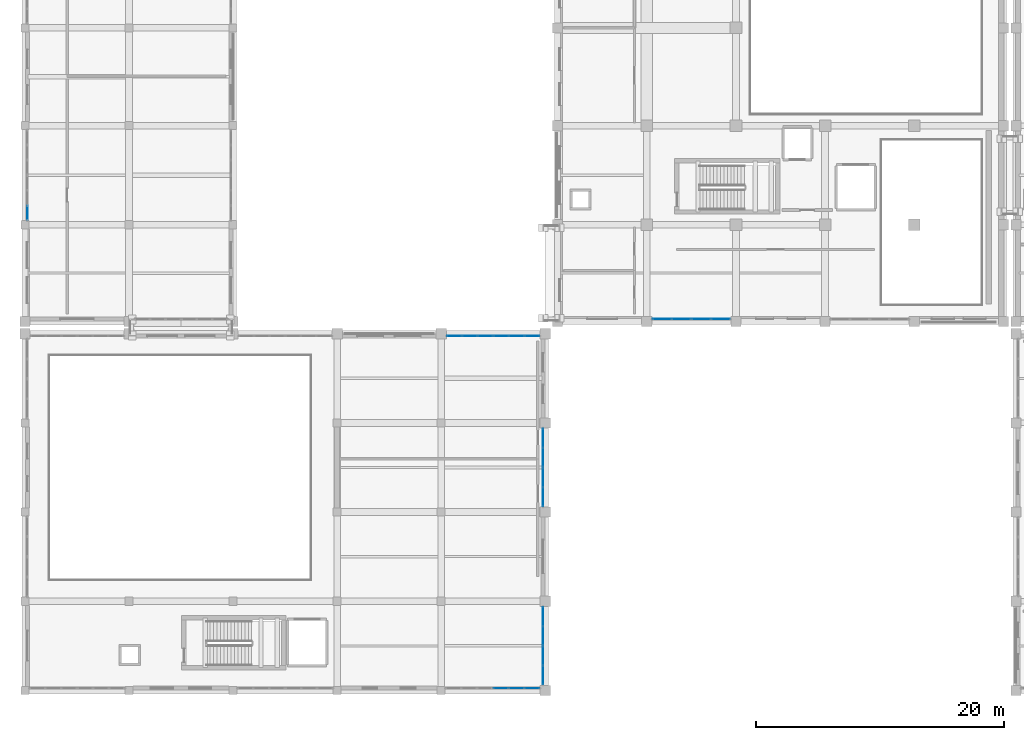
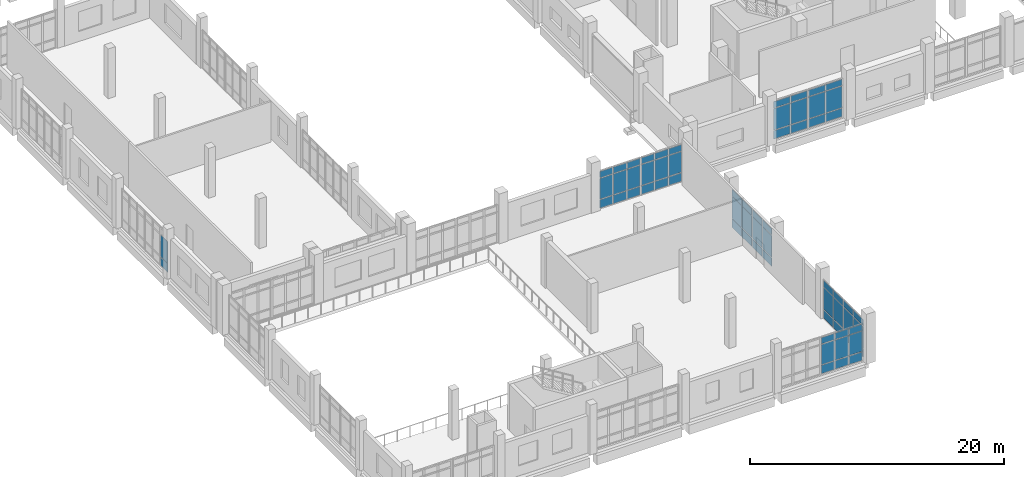
# One storey, part 48 of 90: 65 plates, 10 elements without a shape of their own.
"""IFC4 building model written with IfcOpenShell, lengths in metres."""

import ifcopenshell
import ifcopenshell.guid

model = None  # the IFC model being written
_history = None  # IfcOwnerHistory: only IFC2X3 demands one
_inside = {}  # id of a spatial element -> (the spatial element, [elements in it])
_under = {}  # id of a project, library or spatial element -> (it, [spatial elements below it])
_declared = {}  # id of a project -> (the project, [libraries it declares])
_typed = {}  # id of a type object -> (the type object, [elements of that type])
_made_of = {}  # id of a material, layer set ... -> (it, [elements and type objects made of it])


def new_model(schema):
    """Start an empty IFC model of exactly this schema.

    Asked for "IFC4X3", IfcOpenShell would pick the latest addendum, in which some entities
    have other attributes; the version numbers below select the first issue.
    IFC2X3 requires an IfcOwnerHistory on every rooted entity: one is made here for all.
    """
    global model, _history
    if schema == "IFC4X3":
        model = ifcopenshell.file(schema_version=(4, 3, 0, 0))
    else:
        model = ifcopenshell.file(schema=schema)
    _inside.clear()
    _under.clear()
    _declared.clear()
    _typed.clear()
    _made_of.clear()
    _history = None
    if model.schema == "IFC2X3":
        org = make("IfcOrganization", Name="unknown")
        user = make(
            "IfcPersonAndOrganization",
            ThePerson=make("IfcPerson", FamilyName="unknown"),
            TheOrganization=org,
        )
        app = make(
            "IfcApplication",
            ApplicationDeveloper=org,
            Version="unknown",
            ApplicationFullName="unknown",
            ApplicationIdentifier="unknown",
        )
        _history = make(
            "IfcOwnerHistory",
            OwningUser=user,
            OwningApplication=app,
            ChangeAction="ADDED",
            CreationDate=0,
        )
    return model


def make(cls, **values):
    """One entity of the class cls with the attributes given. An attribute that is None is left unset."""
    return model.create_entity(
        cls, **{name: value for name, value in values.items() if value is not None}
    )


def rooted(cls, **values):
    """An entity with a GlobalId (a new one), such as an element, a storey or a relation."""
    return make(cls, GlobalId=ifcopenshell.guid.new(), OwnerHistory=_history, **values)


def si_unit(unit_type, name, prefix=None):
    """IfcSIUnit, for example si_unit("LENGTHUNIT", "METRE", prefix="MILLI")."""
    return make("IfcSIUnit", UnitType=unit_type, Prefix=prefix, Name=name)


def assignment(units):
    """IfcUnitAssignment: the units of a project."""
    return None if units is None else make("IfcUnitAssignment", Units=units)


def point(xyz):
    """IfcCartesianPoint."""
    return None if xyz is None else make("IfcCartesianPoint", Coordinates=xyz)


def direction(xyz):
    """IfcDirection."""
    return None if xyz is None else make("IfcDirection", DirectionRatios=xyz)


def frame(location, z_axis=None, x_axis=None):
    """IfcAxis2Placement3D, a coordinate frame: its origin and axes. An axis left out is left unset."""
    return make(
        "IfcAxis2Placement3D",
        Location=point(location),
        Axis=direction(z_axis),
        RefDirection=direction(x_axis),
    )


def frame_2d(location, x_axis=None):
    """IfcAxis2Placement2D, a coordinate frame in the plane: its origin and x axis."""
    return make(
        "IfcAxis2Placement2D", Location=point(location), RefDirection=direction(x_axis)
    )


def origin():
    """The frame at (0, 0, 0) with its axes left unset."""
    return frame((0.0, 0.0, 0.0))


def origin_2d():
    """The frame at (0, 0) in the plane with its x axis left unset."""
    return frame_2d((0.0, 0.0))


def place(relative_to, where):
    """IfcLocalPlacement: puts the frame where relative to a parent placement (None: the world)."""
    return make(
        "IfcLocalPlacement", PlacementRelTo=relative_to, RelativePlacement=where
    )


def context(
    kind, dimensions, precision=None, world=None, true_north=None, identifier=None
):
    """IfcGeometricRepresentationContext, for example the 3D "Model" context."""
    return make(
        "IfcGeometricRepresentationContext",
        ContextIdentifier=identifier,
        ContextType=kind,
        CoordinateSpaceDimension=dimensions,
        Precision=precision,
        WorldCoordinateSystem=world,
        TrueNorth=true_north,
    )


def subcontext(parent, identifier, kind, view, scale=None):
    """IfcGeometricRepresentationSubContext, for example "Body" below "Model"."""
    return make(
        "IfcGeometricRepresentationSubContext",
        ContextIdentifier=identifier,
        ContextType=kind,
        ParentContext=parent,
        TargetScale=scale,
        TargetView=view,
    )


def project(units=None, contexts=None):
    """IfcProject with its units and contexts."""
    return rooted(
        "IfcProject",
        Name="project",
        RepresentationContexts=contexts,
        UnitsInContext=assignment(units),
    )


def spatial(cls, under=None, at=None, **own):
    """A site, building, storey or space (cls), placed at a placement, below another one or the project."""
    s = rooted(cls, ObjectPlacement=at, **own)
    if under is not None:
        _under.setdefault(under.id(), (under, []))[1].append(s)
    return s


def profile(cls, at=None, kind="AREA", **sizes):
    """A parametric profile (cls). Its sizes go by their IFC names, for example OverallWidth=200.0."""
    return make(cls, ProfileType=kind, Position=at, **sizes)


def rectangle(**sizes):
    """IfcRectangleProfileDef."""
    return profile("IfcRectangleProfileDef", **sizes)


def extrude(swept, where, along, depth):
    """IfcExtrudedAreaSolid: the profile swept, set in the frame where, extruded along a direction by depth."""
    return make(
        "IfcExtrudedAreaSolid",
        SweptArea=swept,
        Position=where,
        ExtrudedDirection=direction(along),
        Depth=depth,
    )


def shape(context_of_items, identifier, shape_type, items):
    """IfcShapeRepresentation: the items that make up one representation, for example the "Body"."""
    return make(
        "IfcShapeRepresentation",
        ContextOfItems=context_of_items,
        RepresentationIdentifier=identifier,
        RepresentationType=shape_type,
        Items=items,
    )


def material(Name=None, Category=None):
    """IfcMaterial."""
    return make("IfcMaterial", Name=Name, Category=Category)


def layer(
    of_material, thickness, ventilated=None, Name=None, Category=None, Priority=None
):
    """IfcMaterialLayer: one layer of a wall or slab, of a material (None: an air gap)."""
    return make(
        "IfcMaterialLayer",
        Material=of_material,
        LayerThickness=thickness,
        IsVentilated=ventilated,
        Name=Name,
        Category=Category,
        Priority=Priority,
    )


def layer_set(layers, Name=None):
    """IfcMaterialLayerSet."""
    return make("IfcMaterialLayerSet", MaterialLayers=layers, LayerSetName=Name)


def made_of(thing, what):
    """Note that an element or type object is made of a material, layer set ...; save() writes the relation."""
    if what is not None:
        _made_of.setdefault(what.id(), (what, []))[1].append(thing)
    return thing


def type_object(cls, material=None, **own):
    """A type object (cls), such as IfcWallType, which elements share."""
    return made_of(rooted(cls, **own), material)


def element(
    cls,
    number,
    at=None,
    inside=None,
    cuts=None,
    type_object=None,
    material=None,
    context=None,
    identifier="Body",
    shape_type=None,
    held_by="IfcProductDefinitionShape",
    body=None,
    shapes=None,
    **own,
):
    """One element of the class cls, such as IfcWall. Its Tag is "e" and its number.

    at: its placement. inside: the storey or other place that contains it. cuts: it is an
    opening in that element (IfcRelVoidsElement). A single representation is given by context,
    identifier, shape_type and body (its items); several are given by shapes. held_by: the class
    of the entity that holds the representations. save() writes the other relations.
    """
    e = rooted(cls, Tag="e%d" % number, ObjectPlacement=at, **own)
    if body is not None:
        shapes = [shape(context, identifier, shape_type, body)]
    if shapes is not None:
        e.Representation = make(held_by, Representations=shapes)
    if inside is not None:
        _inside.setdefault(inside.id(), (inside, []))[1].append(e)
    if cuts is not None:
        rooted(
            "IfcRelVoidsElement", RelatingBuildingElement=cuts, RelatedOpeningElement=e
        )
    if type_object is not None:
        _typed.setdefault(type_object.id(), (type_object, []))[1].append(e)
    return made_of(e, material)


def aggregate(whole, parts):
    """IfcRelAggregates: a whole, such as a stair, and the parts it consists of."""
    return rooted("IfcRelAggregates", RelatingObject=whole, RelatedObjects=parts)


def save(model, path):
    """Write the relations noted so far, then the file.

    IfcRelAggregates (storeys below a building ...), IfcRelContainedInSpatialStructure (elements
    in a storey), IfcRelDefinesByType, IfcRelAssociatesMaterial and IfcRelDeclares: one each for
    every whole, place, type object, material and project.
    """
    for whole, parts in _under.values():
        aggregate(whole, parts)
    for where, things in _inside.values():
        rooted(
            "IfcRelContainedInSpatialStructure",
            RelatedElements=things,
            RelatingStructure=where,
        )
    for kind, things in _typed.values():
        rooted("IfcRelDefinesByType", RelatedObjects=things, RelatingType=kind)
    for what, things in _made_of.values():
        rooted("IfcRelAssociatesMaterial", RelatedObjects=things, RelatingMaterial=what)
    for by, libraries in _declared.values():
        rooted("IfcRelDeclares", RelatingContext=by, RelatedDefinitions=libraries)
    model.write(path)


model = new_model("IFC4")

# Units and contexts
model_context = context("Model", 3, precision=1e-05, world=origin(), true_north=direction((0.0, 1.0)))
body_context = subcontext(model_context, "Body", "Model", "MODEL_VIEW")
ifc_project = project(units=[si_unit("LENGTHUNIT", "METRE"), si_unit("AREAUNIT", "SQUARE_METRE"), si_unit("VOLUMEUNIT", "CUBIC_METRE"), si_unit("PLANEANGLEUNIT", "RADIAN"), si_unit("MASSUNIT", "GRAM", prefix="KILO")], contexts=[model_context])

# Site, building, storey
site_placement = place(None, origin())
site = spatial("IfcSite", under=ifc_project, at=site_placement, CompositionType="ELEMENT")
building_placement = place(site_placement, origin())
building = spatial("IfcBuilding", under=site, at=building_placement, Name="Kelarvand Opera House", CompositionType="ELEMENT")
storey_placement = place(building_placement, frame((0.0, 0.0, 5.39990234375)))
storey = spatial("IfcBuildingStorey", under=building, at=storey_placement, Name="L01", CompositionType="ELEMENT", Elevation=5.39990234375)

# Curtain wall, plates
ifc_material_1 = material(Name="Thermally broken aluminium and low-E glazing", Category="aluminium")
ifc_layer_1 = layer(ifc_material_1, 0.179931640625, Name="Thermally broken aluminium and low-E glazing", Category="aluminium")
ifc_layer_set_1 = layer_set([ifc_layer_1], Name="Thermally broken aluminium and low-E glazing")
curtain_wall_type_1 = type_object("IfcCurtainWallType", Name="Unitised Low-E Curtain Wall 3176x3730 Mod 1350 CWF-10", PredefinedType="USERDEFINED", material=ifc_layer_set_1)
curtain_wall_1_placement = place(storey_placement, origin())
curtain_wall_1 = element("IfcCurtainWall", 1, at=curtain_wall_1_placement, inside=storey, type_object=curtain_wall_type_1, Name="V2 L01 Curtain Wall CWF-10 (37)", ObjectType="UNITISED CURTAIN WALL", PredefinedType="USERDEFINED")
ifc_material_2 = material(Name="Low-E laminated double glazing", Category="glass")
ifc_layer_2 = layer(ifc_material_2, 0.031982421875, Name="Low-E laminated double glazing", Category="glass")
ifc_layer_set_2 = layer_set([ifc_layer_2], Name="Low-E laminated double glazing")
plate_type = type_object("IfcPlateType", Name="Low-E Argon Double Glazed Curtain Panel 32mm", PredefinedType="CURTAIN_PANEL", material=ifc_layer_set_2)
plate_1_placement = place(storey_placement, frame((65.169677734375, 38.97998046875, 0.06494140625), z_axis=(0.0, 0.0, 1.0), x_axis=(-1.0, 0.0, 0.0)))
plate_1 = element("IfcPlate", 2, at=plate_1_placement, type_object=plate_type, Name="CWF-10 panel 1.1", PredefinedType="CURTAIN_PANEL", context=body_context, shape_type="SweptSolid", body=[
    extrude(rectangle(XDim=1.490478515625, YDim=0.031982421875, at=origin_2d()), origin(), (0.0, 0.0, 1.0), 0.802490234375),
])
plate_2_placement = place(storey_placement, frame((65.169677734375, 38.97998046875, 0.9326171875), z_axis=(0.0, 0.0, 1.0), x_axis=(-1.0, 0.0, 0.0)))
plate_2 = element("IfcPlate", 3, at=plate_2_placement, type_object=plate_type, Name="CWF-10 panel 1.2", PredefinedType="CURTAIN_PANEL", context=body_context, shape_type="SweptSolid", body=[
    extrude(rectangle(XDim=1.490478515625, YDim=0.031982421875, at=origin_2d()), origin(), (0.0, 0.0, 1.0), 2.06494140625),
])
plate_3_placement = place(storey_placement, frame((65.169677734375, 38.97998046875, 3.0625), z_axis=(0.0, 0.0, 1.0), x_axis=(-1.0, 0.0, 0.0)))
plate_3 = element("IfcPlate", 4, at=plate_3_placement, type_object=plate_type, Name="CWF-10 panel 1.3", PredefinedType="CURTAIN_PANEL", context=body_context, shape_type="SweptSolid", body=[
    extrude(rectangle(XDim=1.490478515625, YDim=0.031982421875, at=origin_2d()), origin(), (0.0, 0.0, 1.0), 0.6025390625),
])
plate_4_placement = place(storey_placement, frame((63.6142578125, 38.97998046875, 0.06494140625), z_axis=(0.0, 0.0, 1.0), x_axis=(-1.0, 0.0, 0.0)))
plate_4 = element("IfcPlate", 5, at=plate_4_placement, type_object=plate_type, Name="CWF-10 panel 2.1", PredefinedType="CURTAIN_PANEL", context=body_context, shape_type="SweptSolid", body=[
    extrude(rectangle(XDim=1.490478515625, YDim=0.031982421875, at=origin_2d()), origin(), (0.0, 0.0, 1.0), 0.802490234375),
])
plate_5_placement = place(storey_placement, frame((63.6142578125, 38.97998046875, 0.9326171875), z_axis=(0.0, 0.0, 1.0), x_axis=(-1.0, 0.0, 0.0)))
plate_5 = element("IfcPlate", 6, at=plate_5_placement, type_object=plate_type, Name="CWF-10 panel 2.2", PredefinedType="CURTAIN_PANEL", context=body_context, shape_type="SweptSolid", body=[
    extrude(rectangle(XDim=1.490478515625, YDim=0.031982421875, at=origin_2d()), origin(), (0.0, 0.0, 1.0), 2.06494140625),
])
plate_6_placement = place(storey_placement, frame((63.6142578125, 38.97998046875, 3.0625), z_axis=(0.0, 0.0, 1.0), x_axis=(-1.0, 0.0, 0.0)))
plate_6 = element("IfcPlate", 7, at=plate_6_placement, type_object=plate_type, Name="CWF-10 panel 2.3", PredefinedType="CURTAIN_PANEL", context=body_context, shape_type="SweptSolid", body=[
    extrude(rectangle(XDim=1.490478515625, YDim=0.031982421875, at=origin_2d()), origin(), (0.0, 0.0, 1.0), 0.6025390625),
])
aggregate(curtain_wall_1, [plate_1, plate_2, plate_3, plate_4, plate_5, plate_6])

curtain_wall_2_placement = place(storey_placement, origin())
curtain_wall_2 = element("IfcCurtainWall", 8, at=curtain_wall_2_placement, inside=storey, type_object=curtain_wall_type_1, Name="V2 L01 Curtain Wall CWF-10 (38)", ObjectType="UNITISED CURTAIN WALL", PredefinedType="USERDEFINED")
plate_7_placement = place(storey_placement, frame((61.98876953125, 38.97998046875, 0.06494140625), z_axis=(0.0, 0.0, 1.0), x_axis=(-1.0, 0.0, 0.0)))
plate_7 = element("IfcPlate", 9, at=plate_7_placement, type_object=plate_type, Name="CWF-10 panel 1.1", PredefinedType="CURTAIN_PANEL", context=body_context, shape_type="SweptSolid", body=[
    extrude(rectangle(XDim=1.492431640625, YDim=0.031982421875, at=origin_2d()), origin(), (0.0, 0.0, 1.0), 0.802490234375),
])
plate_8_placement = place(storey_placement, frame((61.98876953125, 38.97998046875, 0.9326171875), z_axis=(0.0, 0.0, 1.0), x_axis=(-1.0, 0.0, 0.0)))
plate_8 = element("IfcPlate", 10, at=plate_8_placement, type_object=plate_type, Name="CWF-10 panel 1.2", PredefinedType="CURTAIN_PANEL", context=body_context, shape_type="SweptSolid", body=[
    extrude(rectangle(XDim=1.492431640625, YDim=0.031982421875, at=origin_2d()), origin(), (0.0, 0.0, 1.0), 2.06494140625),
])
plate_9_placement = place(storey_placement, frame((61.98876953125, 38.97998046875, 3.0625), z_axis=(0.0, 0.0, 1.0), x_axis=(-1.0, 0.0, 0.0)))
plate_9 = element("IfcPlate", 11, at=plate_9_placement, type_object=plate_type, Name="CWF-10 panel 1.3", PredefinedType="CURTAIN_PANEL", context=body_context, shape_type="SweptSolid", body=[
    extrude(rectangle(XDim=1.492431640625, YDim=0.031982421875, at=origin_2d()), origin(), (0.0, 0.0, 1.0), 0.6025390625),
])
plate_10_placement = place(storey_placement, frame((60.43115234375, 38.97998046875, 0.06494140625), z_axis=(0.0, 0.0, 1.0), x_axis=(-1.0, 0.0, 0.0)))
plate_10 = element("IfcPlate", 12, at=plate_10_placement, type_object=plate_type, Name="CWF-10 panel 2.1", PredefinedType="CURTAIN_PANEL", context=body_context, shape_type="SweptSolid", body=[
    extrude(rectangle(XDim=1.492431640625, YDim=0.031982421875, at=origin_2d()), origin(), (0.0, 0.0, 1.0), 0.802490234375),
])
plate_11_placement = place(storey_placement, frame((60.43115234375, 38.97998046875, 0.9326171875), z_axis=(0.0, 0.0, 1.0), x_axis=(-1.0, 0.0, 0.0)))
plate_11 = element("IfcPlate", 13, at=plate_11_placement, type_object=plate_type, Name="CWF-10 panel 2.2", PredefinedType="CURTAIN_PANEL", context=body_context, shape_type="SweptSolid", body=[
    extrude(rectangle(XDim=1.492431640625, YDim=0.031982421875, at=origin_2d()), origin(), (0.0, 0.0, 1.0), 2.06494140625),
])
plate_12_placement = place(storey_placement, frame((60.43115234375, 38.97998046875, 3.0625), z_axis=(0.0, 0.0, 1.0), x_axis=(-1.0, 0.0, 0.0)))
plate_12 = element("IfcPlate", 14, at=plate_12_placement, type_object=plate_type, Name="CWF-10 panel 2.3", PredefinedType="CURTAIN_PANEL", context=body_context, shape_type="SweptSolid", body=[
    extrude(rectangle(XDim=1.492431640625, YDim=0.031982421875, at=origin_2d()), origin(), (0.0, 0.0, 1.0), 0.6025390625),
])
aggregate(curtain_wall_2, [plate_7, plate_8, plate_9, plate_10, plate_11, plate_12])

ifc_layer_3 = layer(ifc_material_1, 0.179931640625, Name="Thermally broken aluminium and low-E glazing", Category="aluminium")
ifc_layer_set_3 = layer_set([ifc_layer_3], Name="Thermally broken aluminium and low-E glazing")
curtain_wall_type_2 = type_object("IfcCurtainWallType", Name="Unitised Low-E Curtain Wall 3776x3650 Mod 1350 CWF-27", PredefinedType="USERDEFINED", material=ifc_layer_set_3)
curtain_wall_3_placement = place(storey_placement, origin())
curtain_wall_3 = element("IfcCurtainWall", 15, at=curtain_wall_3_placement, inside=storey, type_object=curtain_wall_type_2, Name="V4 L01 Curtain Wall CWF-27 (127)", ObjectType="UNITISED CURTAIN WALL", PredefinedType="USERDEFINED")
plate_13_placement = place(storey_placement, frame((43.66552734375, 37.6201171875, 0.06494140625), z_axis=(0.0, 0.0, 1.0), x_axis=(1.0, 0.0, 0.0)))
plate_13 = element("IfcPlate", 16, at=plate_13_placement, type_object=plate_type, Name="CWF-27 panel 1.1", PredefinedType="CURTAIN_PANEL", context=body_context, shape_type="SweptSolid", body=[
    extrude(rectangle(XDim=1.1611328125, YDim=0.031982421875, at=origin_2d()), origin(), (0.0, 0.0, 1.0), 0.802490234375),
])
plate_14_placement = place(storey_placement, frame((43.66552734375, 37.6201171875, 0.9326171875), z_axis=(0.0, 0.0, 1.0), x_axis=(1.0, 0.0, 0.0)))
plate_14 = element("IfcPlate", 17, at=plate_14_placement, type_object=plate_type, Name="CWF-27 panel 1.2", PredefinedType="CURTAIN_PANEL", context=body_context, shape_type="SweptSolid", body=[
    extrude(rectangle(XDim=1.1611328125, YDim=0.031982421875, at=origin_2d()), origin(), (0.0, 0.0, 1.0), 1.985107421875),
])
plate_15_placement = place(storey_placement, frame((43.66552734375, 37.6201171875, 2.982666015625), z_axis=(0.0, 0.0, 1.0), x_axis=(1.0, 0.0, 0.0)))
plate_15 = element("IfcPlate", 18, at=plate_15_placement, type_object=plate_type, Name="CWF-27 panel 1.3", PredefinedType="CURTAIN_PANEL", context=body_context, shape_type="SweptSolid", body=[
    extrude(rectangle(XDim=1.1611328125, YDim=0.031982421875, at=origin_2d()), origin(), (0.0, 0.0, 1.0), 0.6025390625),
])
plate_16_placement = place(storey_placement, frame((44.907958984375, 37.6201171875, 0.06494140625), z_axis=(0.0, 0.0, 1.0), x_axis=(1.0, 0.0, 0.0)))
plate_16 = element("IfcPlate", 19, at=plate_16_placement, type_object=plate_type, Name="CWF-27 panel 2.1", PredefinedType="CURTAIN_PANEL", context=body_context, shape_type="SweptSolid", body=[
    extrude(rectangle(XDim=1.193603515625, YDim=0.031982421875, at=origin_2d()), origin(), (0.0, 0.0, 1.0), 0.802490234375),
])
plate_17_placement = place(storey_placement, frame((44.907958984375, 37.6201171875, 0.9326171875), z_axis=(0.0, 0.0, 1.0), x_axis=(1.0, 0.0, 0.0)))
plate_17 = element("IfcPlate", 20, at=plate_17_placement, type_object=plate_type, Name="CWF-27 panel 2.2", PredefinedType="CURTAIN_PANEL", context=body_context, shape_type="SweptSolid", body=[
    extrude(rectangle(XDim=1.193603515625, YDim=0.031982421875, at=origin_2d()), origin(), (0.0, 0.0, 1.0), 1.985107421875),
])
plate_18_placement = place(storey_placement, frame((44.907958984375, 37.6201171875, 2.982666015625), z_axis=(0.0, 0.0, 1.0), x_axis=(1.0, 0.0, 0.0)))
plate_18 = element("IfcPlate", 21, at=plate_18_placement, type_object=plate_type, Name="CWF-27 panel 2.3", PredefinedType="CURTAIN_PANEL", context=body_context, shape_type="SweptSolid", body=[
    extrude(rectangle(XDim=1.193603515625, YDim=0.031982421875, at=origin_2d()), origin(), (0.0, 0.0, 1.0), 0.6025390625),
])
plate_19_placement = place(storey_placement, frame((46.150390625, 37.6201171875, 0.06494140625), z_axis=(0.0, 0.0, 1.0), x_axis=(1.0, 0.0, 0.0)))
plate_19 = element("IfcPlate", 22, at=plate_19_placement, type_object=plate_type, Name="CWF-27 panel 3.1", PredefinedType="CURTAIN_PANEL", context=body_context, shape_type="SweptSolid", body=[
    extrude(rectangle(XDim=1.1611328125, YDim=0.031982421875, at=origin_2d()), origin(), (0.0, 0.0, 1.0), 0.802490234375),
])
plate_20_placement = place(storey_placement, frame((46.150390625, 37.6201171875, 0.9326171875), z_axis=(0.0, 0.0, 1.0), x_axis=(1.0, 0.0, 0.0)))
plate_20 = element("IfcPlate", 23, at=plate_20_placement, type_object=plate_type, Name="CWF-27 panel 3.2", PredefinedType="CURTAIN_PANEL", context=body_context, shape_type="SweptSolid", body=[
    extrude(rectangle(XDim=1.1611328125, YDim=0.031982421875, at=origin_2d()), origin(), (0.0, 0.0, 1.0), 1.985107421875),
])
plate_21_placement = place(storey_placement, frame((46.150390625, 37.6201171875, 2.982666015625), z_axis=(0.0, 0.0, 1.0), x_axis=(1.0, 0.0, 0.0)))
plate_21 = element("IfcPlate", 24, at=plate_21_placement, type_object=plate_type, Name="CWF-27 panel 3.3", PredefinedType="CURTAIN_PANEL", context=body_context, shape_type="SweptSolid", body=[
    extrude(rectangle(XDim=1.1611328125, YDim=0.031982421875, at=origin_2d()), origin(), (0.0, 0.0, 1.0), 0.6025390625),
])
aggregate(curtain_wall_3, [plate_13, plate_14, plate_15, plate_16, plate_17, plate_18, plate_19, plate_20, plate_21])

curtain_wall_4_placement = place(storey_placement, origin())
curtain_wall_4 = element("IfcCurtainWall", 25, at=curtain_wall_4_placement, inside=storey, type_object=curtain_wall_type_2, Name="V4 L01 Curtain Wall CWF-27 (128)", ObjectType="UNITISED CURTAIN WALL", PredefinedType="USERDEFINED")
plate_22_placement = place(storey_placement, frame((47.4462890625, 37.6201171875, 0.06494140625), z_axis=(0.0, 0.0, 1.0), x_axis=(1.0, 0.0, 0.0)))
plate_22 = element("IfcPlate", 26, at=plate_22_placement, type_object=plate_type, Name="CWF-27 panel 1.1", PredefinedType="CURTAIN_PANEL", context=body_context, shape_type="SweptSolid", body=[
    extrude(rectangle(XDim=1.16259765625, YDim=0.031982421875, at=origin_2d()), origin(), (0.0, 0.0, 1.0), 0.802490234375),
])
plate_23_placement = place(storey_placement, frame((47.4462890625, 37.6201171875, 0.9326171875), z_axis=(0.0, 0.0, 1.0), x_axis=(1.0, 0.0, 0.0)))
plate_23 = element("IfcPlate", 27, at=plate_23_placement, type_object=plate_type, Name="CWF-27 panel 1.2", PredefinedType="CURTAIN_PANEL", context=body_context, shape_type="SweptSolid", body=[
    extrude(rectangle(XDim=1.16259765625, YDim=0.031982421875, at=origin_2d()), origin(), (0.0, 0.0, 1.0), 1.985107421875),
])
plate_24_placement = place(storey_placement, frame((47.4462890625, 37.6201171875, 2.982666015625), z_axis=(0.0, 0.0, 1.0), x_axis=(1.0, 0.0, 0.0)))
plate_24 = element("IfcPlate", 28, at=plate_24_placement, type_object=plate_type, Name="CWF-27 panel 1.3", PredefinedType="CURTAIN_PANEL", context=body_context, shape_type="SweptSolid", body=[
    extrude(rectangle(XDim=1.16259765625, YDim=0.031982421875, at=origin_2d()), origin(), (0.0, 0.0, 1.0), 0.6025390625),
])
plate_25_placement = place(storey_placement, frame((48.68994140625, 37.6201171875, 0.06494140625), z_axis=(0.0, 0.0, 1.0), x_axis=(1.0, 0.0, 0.0)))
plate_25 = element("IfcPlate", 29, at=plate_25_placement, type_object=plate_type, Name="CWF-27 panel 2.1", PredefinedType="CURTAIN_PANEL", context=body_context, shape_type="SweptSolid", body=[
    extrude(rectangle(XDim=1.195068359375, YDim=0.031982421875, at=origin_2d()), origin(), (0.0, 0.0, 1.0), 0.802490234375),
])
plate_26_placement = place(storey_placement, frame((48.68994140625, 37.6201171875, 0.9326171875), z_axis=(0.0, 0.0, 1.0), x_axis=(1.0, 0.0, 0.0)))
plate_26 = element("IfcPlate", 30, at=plate_26_placement, type_object=plate_type, Name="CWF-27 panel 2.2", PredefinedType="CURTAIN_PANEL", context=body_context, shape_type="SweptSolid", body=[
    extrude(rectangle(XDim=1.195068359375, YDim=0.031982421875, at=origin_2d()), origin(), (0.0, 0.0, 1.0), 1.985107421875),
])
plate_27_placement = place(storey_placement, frame((48.68994140625, 37.6201171875, 2.982666015625), z_axis=(0.0, 0.0, 1.0), x_axis=(1.0, 0.0, 0.0)))
plate_27 = element("IfcPlate", 31, at=plate_27_placement, type_object=plate_type, Name="CWF-27 panel 2.3", PredefinedType="CURTAIN_PANEL", context=body_context, shape_type="SweptSolid", body=[
    extrude(rectangle(XDim=1.195068359375, YDim=0.031982421875, at=origin_2d()), origin(), (0.0, 0.0, 1.0), 0.6025390625),
])
plate_28_placement = place(storey_placement, frame((49.933837890625, 37.6201171875, 0.06494140625), z_axis=(0.0, 0.0, 1.0), x_axis=(1.0, 0.0, 0.0)))
plate_28 = element("IfcPlate", 32, at=plate_28_placement, type_object=plate_type, Name="CWF-27 panel 3.1", PredefinedType="CURTAIN_PANEL", context=body_context, shape_type="SweptSolid", body=[
    extrude(rectangle(XDim=1.16259765625, YDim=0.031982421875, at=origin_2d()), origin(), (0.0, 0.0, 1.0), 0.802490234375),
])
plate_29_placement = place(storey_placement, frame((49.933837890625, 37.6201171875, 0.9326171875), z_axis=(0.0, 0.0, 1.0), x_axis=(1.0, 0.0, 0.0)))
plate_29 = element("IfcPlate", 33, at=plate_29_placement, type_object=plate_type, Name="CWF-27 panel 3.2", PredefinedType="CURTAIN_PANEL", context=body_context, shape_type="SweptSolid", body=[
    extrude(rectangle(XDim=1.16259765625, YDim=0.031982421875, at=origin_2d()), origin(), (0.0, 0.0, 1.0), 1.985107421875),
])
plate_30_placement = place(storey_placement, frame((49.933837890625, 37.6201171875, 2.982666015625), z_axis=(0.0, 0.0, 1.0), x_axis=(1.0, 0.0, 0.0)))
plate_30 = element("IfcPlate", 34, at=plate_30_placement, type_object=plate_type, Name="CWF-27 panel 3.3", PredefinedType="CURTAIN_PANEL", context=body_context, shape_type="SweptSolid", body=[
    extrude(rectangle(XDim=1.16259765625, YDim=0.031982421875, at=origin_2d()), origin(), (0.0, 0.0, 1.0), 0.6025390625),
])
aggregate(curtain_wall_4, [plate_22, plate_23, plate_24, plate_25, plate_26, plate_27, plate_28, plate_29, plate_30])

curtain_wall_5_placement = place(storey_placement, origin())
curtain_wall_5 = element("IfcCurtainWall", 35, at=curtain_wall_5_placement, inside=storey, type_object=curtain_wall_type_1, Name="V4 L01 Curtain Wall CWF-10 (129)", ObjectType="UNITISED CURTAIN WALL", PredefinedType="USERDEFINED")
plate_31_placement = place(storey_placement, frame((50.820068359375, 29.36962890625, 0.06494140625), z_axis=(0.0, 0.0, 1.0), x_axis=(0.0, -1.0, 0.0)))
plate_31 = element("IfcPlate", 36, at=plate_31_placement, type_object=plate_type, Name="CWF-10 panel 1.1", PredefinedType="CURTAIN_PANEL", context=body_context, shape_type="SweptSolid", body=[
    extrude(rectangle(XDim=1.490478515625, YDim=0.031982421875, at=origin_2d()), origin(), (0.0, 0.0, 1.0), 0.802490234375),
])
plate_32_placement = place(storey_placement, frame((50.820068359375, 29.36962890625, 0.9326171875), z_axis=(0.0, 0.0, 1.0), x_axis=(0.0, -1.0, 0.0)))
plate_32 = element("IfcPlate", 37, at=plate_32_placement, type_object=plate_type, Name="CWF-10 panel 1.2", PredefinedType="CURTAIN_PANEL", context=body_context, shape_type="SweptSolid", body=[
    extrude(rectangle(XDim=1.490478515625, YDim=0.031982421875, at=origin_2d()), origin(), (0.0, 0.0, 1.0), 2.0849609375),
])
plate_33_placement = place(storey_placement, frame((50.820068359375, 29.36962890625, 3.08251953125), z_axis=(0.0, 0.0, 1.0), x_axis=(0.0, -1.0, 0.0)))
plate_33 = element("IfcPlate", 38, at=plate_33_placement, type_object=plate_type, Name="CWF-10 panel 1.3", PredefinedType="CURTAIN_PANEL", context=body_context, shape_type="SweptSolid", body=[
    extrude(rectangle(XDim=1.490478515625, YDim=0.031982421875, at=origin_2d()), origin(), (0.0, 0.0, 1.0), 0.6025390625),
])
plate_34_placement = place(storey_placement, frame((50.820068359375, 27.814208984375, 0.06494140625), z_axis=(0.0, 0.0, 1.0), x_axis=(0.0, -1.0, 0.0)))
plate_34 = element("IfcPlate", 39, at=plate_34_placement, type_object=plate_type, Name="CWF-10 panel 2.1", PredefinedType="CURTAIN_PANEL", context=body_context, shape_type="SweptSolid", body=[
    extrude(rectangle(XDim=1.490478515625, YDim=0.031982421875, at=origin_2d()), origin(), (0.0, 0.0, 1.0), 0.802490234375),
])
plate_35_placement = place(storey_placement, frame((50.820068359375, 27.814208984375, 0.9326171875), z_axis=(0.0, 0.0, 1.0), x_axis=(0.0, -1.0, 0.0)))
plate_35 = element("IfcPlate", 40, at=plate_35_placement, type_object=plate_type, Name="CWF-10 panel 2.2", PredefinedType="CURTAIN_PANEL", context=body_context, shape_type="SweptSolid", body=[
    extrude(rectangle(XDim=1.490478515625, YDim=0.031982421875, at=origin_2d()), origin(), (0.0, 0.0, 1.0), 2.0849609375),
])
plate_36_placement = place(storey_placement, frame((50.820068359375, 27.814208984375, 3.08251953125), z_axis=(0.0, 0.0, 1.0), x_axis=(0.0, -1.0, 0.0)))
plate_36 = element("IfcPlate", 41, at=plate_36_placement, type_object=plate_type, Name="CWF-10 panel 2.3", PredefinedType="CURTAIN_PANEL", context=body_context, shape_type="SweptSolid", body=[
    extrude(rectangle(XDim=1.490478515625, YDim=0.031982421875, at=origin_2d()), origin(), (0.0, 0.0, 1.0), 0.6025390625),
])
aggregate(curtain_wall_5, [plate_31, plate_32, plate_33, plate_34, plate_35, plate_36])

curtain_wall_6_placement = place(storey_placement, origin())
curtain_wall_6 = element("IfcCurtainWall", 42, at=curtain_wall_6_placement, inside=storey, type_object=curtain_wall_type_1, Name="V4 L01 Curtain Wall CWF-10 (130)", ObjectType="UNITISED CURTAIN WALL", PredefinedType="USERDEFINED")
plate_37_placement = place(storey_placement, frame((50.820068359375, 26.188720703125, 0.06494140625), z_axis=(0.0, 0.0, 1.0), x_axis=(0.0, -1.0, 0.0)))
plate_37 = element("IfcPlate", 43, at=plate_37_placement, type_object=plate_type, Name="CWF-10 panel 1.1", PredefinedType="CURTAIN_PANEL", context=body_context, shape_type="SweptSolid", body=[
    extrude(rectangle(XDim=1.492431640625, YDim=0.031982421875, at=origin_2d()), origin(), (0.0, 0.0, 1.0), 0.802490234375),
])
plate_38_placement = place(storey_placement, frame((50.820068359375, 26.188720703125, 0.9326171875), z_axis=(0.0, 0.0, 1.0), x_axis=(0.0, -1.0, 0.0)))
plate_38 = element("IfcPlate", 44, at=plate_38_placement, type_object=plate_type, Name="CWF-10 panel 1.2", PredefinedType="CURTAIN_PANEL", context=body_context, shape_type="SweptSolid", body=[
    extrude(rectangle(XDim=1.492431640625, YDim=0.031982421875, at=origin_2d()), origin(), (0.0, 0.0, 1.0), 2.0849609375),
])
plate_39_placement = place(storey_placement, frame((50.820068359375, 26.188720703125, 3.08251953125), z_axis=(0.0, 0.0, 1.0), x_axis=(0.0, -1.0, 0.0)))
plate_39 = element("IfcPlate", 45, at=plate_39_placement, type_object=plate_type, Name="CWF-10 panel 1.3", PredefinedType="CURTAIN_PANEL", context=body_context, shape_type="SweptSolid", body=[
    extrude(rectangle(XDim=1.492431640625, YDim=0.031982421875, at=origin_2d()), origin(), (0.0, 0.0, 1.0), 0.6025390625),
])
plate_40_placement = place(storey_placement, frame((50.820068359375, 24.63134765625, 0.06494140625), z_axis=(0.0, 0.0, 1.0), x_axis=(0.0, -1.0, 0.0)))
plate_40 = element("IfcPlate", 46, at=plate_40_placement, type_object=plate_type, Name="CWF-10 panel 2.1", PredefinedType="CURTAIN_PANEL", context=body_context, shape_type="SweptSolid", body=[
    extrude(rectangle(XDim=1.492431640625, YDim=0.031982421875, at=origin_2d()), origin(), (0.0, 0.0, 1.0), 0.802490234375),
])
plate_41_placement = place(storey_placement, frame((50.820068359375, 24.63134765625, 0.9326171875), z_axis=(0.0, 0.0, 1.0), x_axis=(0.0, -1.0, 0.0)))
plate_41 = element("IfcPlate", 47, at=plate_41_placement, type_object=plate_type, Name="CWF-10 panel 2.2", PredefinedType="CURTAIN_PANEL", context=body_context, shape_type="SweptSolid", body=[
    extrude(rectangle(XDim=1.492431640625, YDim=0.031982421875, at=origin_2d()), origin(), (0.0, 0.0, 1.0), 2.0849609375),
])
plate_42_placement = place(storey_placement, frame((50.820068359375, 24.63134765625, 3.08251953125), z_axis=(0.0, 0.0, 1.0), x_axis=(0.0, -1.0, 0.0)))
plate_42 = element("IfcPlate", 48, at=plate_42_placement, type_object=plate_type, Name="CWF-10 panel 2.3", PredefinedType="CURTAIN_PANEL", context=body_context, shape_type="SweptSolid", body=[
    extrude(rectangle(XDim=1.492431640625, YDim=0.031982421875, at=origin_2d()), origin(), (0.0, 0.0, 1.0), 0.6025390625),
])
aggregate(curtain_wall_6, [plate_37, plate_38, plate_39, plate_40, plate_41, plate_42])

curtain_wall_7_placement = place(storey_placement, origin())
curtain_wall_7 = element("IfcCurtainWall", 49, at=curtain_wall_7_placement, inside=storey, type_object=curtain_wall_type_1, Name="V4 L01 Curtain Wall CWF-10 (131)", ObjectType="UNITISED CURTAIN WALL", PredefinedType="USERDEFINED")
plate_43_placement = place(storey_placement, frame((50.820068359375, 14.9697265625, 0.06494140625), z_axis=(0.0, 0.0, 1.0), x_axis=(0.0, -1.0, 0.0)))
plate_43 = element("IfcPlate", 50, at=plate_43_placement, type_object=plate_type, Name="CWF-10 panel 1.1", PredefinedType="CURTAIN_PANEL", context=body_context, shape_type="SweptSolid", body=[
    extrude(rectangle(XDim=1.490478515625, YDim=0.031982421875, at=origin_2d()), origin(), (0.0, 0.0, 1.0), 0.802490234375),
])
plate_44_placement = place(storey_placement, frame((50.820068359375, 14.9697265625, 0.9326171875), z_axis=(0.0, 0.0, 1.0), x_axis=(0.0, -1.0, 0.0)))
plate_44 = element("IfcPlate", 51, at=plate_44_placement, type_object=plate_type, Name="CWF-10 panel 1.2", PredefinedType="CURTAIN_PANEL", context=body_context, shape_type="SweptSolid", body=[
    extrude(rectangle(XDim=1.490478515625, YDim=0.031982421875, at=origin_2d()), origin(), (0.0, 0.0, 1.0), 2.0849609375),
])
plate_45_placement = place(storey_placement, frame((50.820068359375, 14.9697265625, 3.08251953125), z_axis=(0.0, 0.0, 1.0), x_axis=(0.0, -1.0, 0.0)))
plate_45 = element("IfcPlate", 52, at=plate_45_placement, type_object=plate_type, Name="CWF-10 panel 1.3", PredefinedType="CURTAIN_PANEL", context=body_context, shape_type="SweptSolid", body=[
    extrude(rectangle(XDim=1.490478515625, YDim=0.031982421875, at=origin_2d()), origin(), (0.0, 0.0, 1.0), 0.6025390625),
])
plate_46_placement = place(storey_placement, frame((50.820068359375, 13.414306640625, 0.06494140625), z_axis=(0.0, 0.0, 1.0), x_axis=(0.0, -1.0, 0.0)))
plate_46 = element("IfcPlate", 53, at=plate_46_placement, type_object=plate_type, Name="CWF-10 panel 2.1", PredefinedType="CURTAIN_PANEL", context=body_context, shape_type="SweptSolid", body=[
    extrude(rectangle(XDim=1.490478515625, YDim=0.031982421875, at=origin_2d()), origin(), (0.0, 0.0, 1.0), 0.802490234375),
])
plate_47_placement = place(storey_placement, frame((50.820068359375, 13.414306640625, 0.9326171875), z_axis=(0.0, 0.0, 1.0), x_axis=(0.0, -1.0, 0.0)))
plate_47 = element("IfcPlate", 54, at=plate_47_placement, type_object=plate_type, Name="CWF-10 panel 2.2", PredefinedType="CURTAIN_PANEL", context=body_context, shape_type="SweptSolid", body=[
    extrude(rectangle(XDim=1.490478515625, YDim=0.031982421875, at=origin_2d()), origin(), (0.0, 0.0, 1.0), 2.0849609375),
])
plate_48_placement = place(storey_placement, frame((50.820068359375, 13.414306640625, 3.08251953125), z_axis=(0.0, 0.0, 1.0), x_axis=(0.0, -1.0, 0.0)))
plate_48 = element("IfcPlate", 55, at=plate_48_placement, type_object=plate_type, Name="CWF-10 panel 2.3", PredefinedType="CURTAIN_PANEL", context=body_context, shape_type="SweptSolid", body=[
    extrude(rectangle(XDim=1.490478515625, YDim=0.031982421875, at=origin_2d()), origin(), (0.0, 0.0, 1.0), 0.6025390625),
])
aggregate(curtain_wall_7, [plate_43, plate_44, plate_45, plate_46, plate_47, plate_48])

curtain_wall_8_placement = place(storey_placement, origin())
curtain_wall_8 = element("IfcCurtainWall", 56, at=curtain_wall_8_placement, inside=storey, type_object=curtain_wall_type_1, Name="V4 L01 Curtain Wall CWF-10 (132)", ObjectType="UNITISED CURTAIN WALL", PredefinedType="USERDEFINED")
plate_49_placement = place(storey_placement, frame((50.820068359375, 11.788818359375, 0.06494140625), z_axis=(0.0, 0.0, 1.0), x_axis=(0.0, -1.0, 0.0)))
plate_49 = element("IfcPlate", 57, at=plate_49_placement, type_object=plate_type, Name="CWF-10 panel 1.1", PredefinedType="CURTAIN_PANEL", context=body_context, shape_type="SweptSolid", body=[
    extrude(rectangle(XDim=1.492431640625, YDim=0.031982421875, at=origin_2d()), origin(), (0.0, 0.0, 1.0), 0.802490234375),
])
plate_50_placement = place(storey_placement, frame((50.820068359375, 11.788818359375, 0.9326171875), z_axis=(0.0, 0.0, 1.0), x_axis=(0.0, -1.0, 0.0)))
plate_50 = element("IfcPlate", 58, at=plate_50_placement, type_object=plate_type, Name="CWF-10 panel 1.2", PredefinedType="CURTAIN_PANEL", context=body_context, shape_type="SweptSolid", body=[
    extrude(rectangle(XDim=1.492431640625, YDim=0.031982421875, at=origin_2d()), origin(), (0.0, 0.0, 1.0), 2.0849609375),
])
plate_51_placement = place(storey_placement, frame((50.820068359375, 11.788818359375, 3.08251953125), z_axis=(0.0, 0.0, 1.0), x_axis=(0.0, -1.0, 0.0)))
plate_51 = element("IfcPlate", 59, at=plate_51_placement, type_object=plate_type, Name="CWF-10 panel 1.3", PredefinedType="CURTAIN_PANEL", context=body_context, shape_type="SweptSolid", body=[
    extrude(rectangle(XDim=1.492431640625, YDim=0.031982421875, at=origin_2d()), origin(), (0.0, 0.0, 1.0), 0.6025390625),
])
plate_52_placement = place(storey_placement, frame((50.820068359375, 10.231201171875, 0.06494140625), z_axis=(0.0, 0.0, 1.0), x_axis=(0.0, -1.0, 0.0)))
plate_52 = element("IfcPlate", 60, at=plate_52_placement, type_object=plate_type, Name="CWF-10 panel 2.1", PredefinedType="CURTAIN_PANEL", context=body_context, shape_type="SweptSolid", body=[
    extrude(rectangle(XDim=1.492431640625, YDim=0.031982421875, at=origin_2d()), origin(), (0.0, 0.0, 1.0), 0.802490234375),
])
plate_53_placement = place(storey_placement, frame((50.820068359375, 10.231201171875, 0.9326171875), z_axis=(0.0, 0.0, 1.0), x_axis=(0.0, -1.0, 0.0)))
plate_53 = element("IfcPlate", 61, at=plate_53_placement, type_object=plate_type, Name="CWF-10 panel 2.2", PredefinedType="CURTAIN_PANEL", context=body_context, shape_type="SweptSolid", body=[
    extrude(rectangle(XDim=1.492431640625, YDim=0.031982421875, at=origin_2d()), origin(), (0.0, 0.0, 1.0), 2.0849609375),
])
plate_54_placement = place(storey_placement, frame((50.820068359375, 10.231201171875, 3.08251953125), z_axis=(0.0, 0.0, 1.0), x_axis=(0.0, -1.0, 0.0)))
plate_54 = element("IfcPlate", 62, at=plate_54_placement, type_object=plate_type, Name="CWF-10 panel 2.3", PredefinedType="CURTAIN_PANEL", context=body_context, shape_type="SweptSolid", body=[
    extrude(rectangle(XDim=1.492431640625, YDim=0.031982421875, at=origin_2d()), origin(), (0.0, 0.0, 1.0), 0.6025390625),
])
aggregate(curtain_wall_8, [plate_49, plate_50, plate_51, plate_52, plate_53, plate_54])

ifc_layer_4 = layer(ifc_material_1, 0.179931640625, Name="Thermally broken aluminium and low-E glazing", Category="aluminium")
ifc_layer_set_4 = layer_set([ifc_layer_4], Name="Thermally broken aluminium and low-E glazing")
curtain_wall_type_3 = type_object("IfcCurtainWallType", Name="Unitised Low-E Curtain Wall 3818x3600 Mod 1350 CWF-18", PredefinedType="USERDEFINED", material=ifc_layer_set_4)
curtain_wall_9_placement = place(storey_placement, origin())
curtain_wall_9 = element("IfcCurtainWall", 63, at=curtain_wall_9_placement, inside=storey, type_object=curtain_wall_type_3, Name="V4 L01 Curtain Wall CWF-18 (133)", ObjectType="UNITISED CURTAIN WALL", PredefinedType="USERDEFINED")
plate_55_placement = place(storey_placement, frame((49.92724609375, 9.179931640625, 0.06494140625), z_axis=(0.0, 0.0, 1.0), x_axis=(-1.0, 0.0, 0.0)))
plate_55 = element("IfcPlate", 64, at=plate_55_placement, type_object=plate_type, Name="CWF-18 panel 1.1", PredefinedType="CURTAIN_PANEL", context=body_context, shape_type="SweptSolid", body=[
    extrude(rectangle(XDim=1.17529296875, YDim=0.031982421875, at=origin_2d()), origin(), (0.0, 0.0, 1.0), 0.802490234375),
])
plate_56_placement = place(storey_placement, frame((49.92724609375, 9.179931640625, 0.9326171875), z_axis=(0.0, 0.0, 1.0), x_axis=(-1.0, 0.0, 0.0)))
plate_56 = element("IfcPlate", 65, at=plate_56_placement, type_object=plate_type, Name="CWF-18 panel 1.2", PredefinedType="CURTAIN_PANEL", context=body_context, shape_type="SweptSolid", body=[
    extrude(rectangle(XDim=1.17529296875, YDim=0.031982421875, at=origin_2d()), origin(), (0.0, 0.0, 1.0), 1.93505859375),
])
plate_57_placement = place(storey_placement, frame((49.92724609375, 9.179931640625, 2.9326171875), z_axis=(0.0, 0.0, 1.0), x_axis=(-1.0, 0.0, 0.0)))
plate_57 = element("IfcPlate", 66, at=plate_57_placement, type_object=plate_type, Name="CWF-18 panel 1.3", PredefinedType="CURTAIN_PANEL", context=body_context, shape_type="SweptSolid", body=[
    extrude(rectangle(XDim=1.17529296875, YDim=0.031982421875, at=origin_2d()), origin(), (0.0, 0.0, 1.0), 0.6025390625),
])
plate_58_placement = place(storey_placement, frame((48.670654296875, 9.179931640625, 0.06494140625), z_axis=(0.0, 0.0, 1.0), x_axis=(-1.0, 0.0, 0.0)))
plate_58 = element("IfcPlate", 67, at=plate_58_placement, type_object=plate_type, Name="CWF-18 panel 2.1", PredefinedType="CURTAIN_PANEL", context=body_context, shape_type="SweptSolid", body=[
    extrude(rectangle(XDim=1.207763671875, YDim=0.031982421875, at=origin_2d()), origin(), (0.0, 0.0, 1.0), 0.802490234375),
])
plate_59_placement = place(storey_placement, frame((48.670654296875, 9.179931640625, 0.9326171875), z_axis=(0.0, 0.0, 1.0), x_axis=(-1.0, 0.0, 0.0)))
plate_59 = element("IfcPlate", 68, at=plate_59_placement, type_object=plate_type, Name="CWF-18 panel 2.2", PredefinedType="CURTAIN_PANEL", context=body_context, shape_type="SweptSolid", body=[
    extrude(rectangle(XDim=1.207763671875, YDim=0.031982421875, at=origin_2d()), origin(), (0.0, 0.0, 1.0), 1.93505859375),
])
plate_60_placement = place(storey_placement, frame((48.670654296875, 9.179931640625, 2.9326171875), z_axis=(0.0, 0.0, 1.0), x_axis=(-1.0, 0.0, 0.0)))
plate_60 = element("IfcPlate", 69, at=plate_60_placement, type_object=plate_type, Name="CWF-18 panel 2.3", PredefinedType="CURTAIN_PANEL", context=body_context, shape_type="SweptSolid", body=[
    extrude(rectangle(XDim=1.207763671875, YDim=0.031982421875, at=origin_2d()), origin(), (0.0, 0.0, 1.0), 0.6025390625),
])
plate_61_placement = place(storey_placement, frame((47.4140625, 9.179931640625, 0.06494140625), z_axis=(0.0, 0.0, 1.0), x_axis=(-1.0, 0.0, 0.0)))
plate_61 = element("IfcPlate", 70, at=plate_61_placement, type_object=plate_type, Name="CWF-18 panel 3.1", PredefinedType="CURTAIN_PANEL", context=body_context, shape_type="SweptSolid", body=[
    extrude(rectangle(XDim=1.17529296875, YDim=0.031982421875, at=origin_2d()), origin(), (0.0, 0.0, 1.0), 0.802490234375),
])
plate_62_placement = place(storey_placement, frame((47.4140625, 9.179931640625, 0.9326171875), z_axis=(0.0, 0.0, 1.0), x_axis=(-1.0, 0.0, 0.0)))
plate_62 = element("IfcPlate", 71, at=plate_62_placement, type_object=plate_type, Name="CWF-18 panel 3.2", PredefinedType="CURTAIN_PANEL", context=body_context, shape_type="SweptSolid", body=[
    extrude(rectangle(XDim=1.17529296875, YDim=0.031982421875, at=origin_2d()), origin(), (0.0, 0.0, 1.0), 1.93505859375),
])
plate_63_placement = place(storey_placement, frame((47.4140625, 9.179931640625, 2.9326171875), z_axis=(0.0, 0.0, 1.0), x_axis=(-1.0, 0.0, 0.0)))
plate_63 = element("IfcPlate", 72, at=plate_63_placement, type_object=plate_type, Name="CWF-18 panel 3.3", PredefinedType="CURTAIN_PANEL", context=body_context, shape_type="SweptSolid", body=[
    extrude(rectangle(XDim=1.17529296875, YDim=0.031982421875, at=origin_2d()), origin(), (0.0, 0.0, 1.0), 0.6025390625),
])
aggregate(curtain_wall_9, [plate_55, plate_56, plate_57, plate_58, plate_59, plate_60, plate_61, plate_62, plate_63])

ifc_layer_5 = layer(ifc_material_1, 0.179931640625, Name="Thermally broken aluminium and low-E glazing", Category="aluminium")
ifc_layer_set_5 = layer_set([ifc_layer_5], Name="Thermally broken aluminium and low-E glazing")
curtain_wall_type_4 = type_object("IfcCurtainWallType", Name="Unitised Low-E Curtain Wall 3661x3750 Mod 1350 CWF-28", PredefinedType="USERDEFINED", material=ifc_layer_set_5)
curtain_wall_10_placement = place(storey_placement, origin())
curtain_wall_10 = element("IfcCurtainWall", 73, at=curtain_wall_10_placement, inside=storey, type_object=curtain_wall_type_4, Name="V4 L01 Curtain Wall CWF-28 (139)", ObjectType="UNITISED CURTAIN WALL", PredefinedType="USERDEFINED")
plate_64_placement = place(storey_placement, frame((9.179931640625, 47.5615234375, 0.06494140625), z_axis=(0.0, 0.0, 1.0), x_axis=(0.0, 1.0, 0.0)))
plate_64 = element("IfcPlate", 74, at=plate_64_placement, type_object=plate_type, Name="CWF-28 panel 1.1", PredefinedType="CURTAIN_PANEL", context=body_context, shape_type="SweptSolid", body=[
    extrude(rectangle(XDim=1.122802734375, YDim=0.031982421875, at=origin_2d()), origin(), (0.0, 0.0, 1.0), 0.802490234375),
])
plate_65_placement = place(storey_placement, frame((9.179931640625, 47.5615234375, 0.9326171875), z_axis=(0.0, 0.0, 1.0), x_axis=(0.0, 1.0, 0.0)))
plate_65 = element("IfcPlate", 75, at=plate_65_placement, type_object=plate_type, Name="CWF-28 panel 1.2", PredefinedType="CURTAIN_PANEL", context=body_context, shape_type="SweptSolid", body=[
    extrude(rectangle(XDim=1.122802734375, YDim=0.031982421875, at=origin_2d()), origin(), (0.0, 0.0, 1.0), 2.0849609375),
])
aggregate(curtain_wall_10, [plate_64, plate_65])

save(model, "model.ifc")
